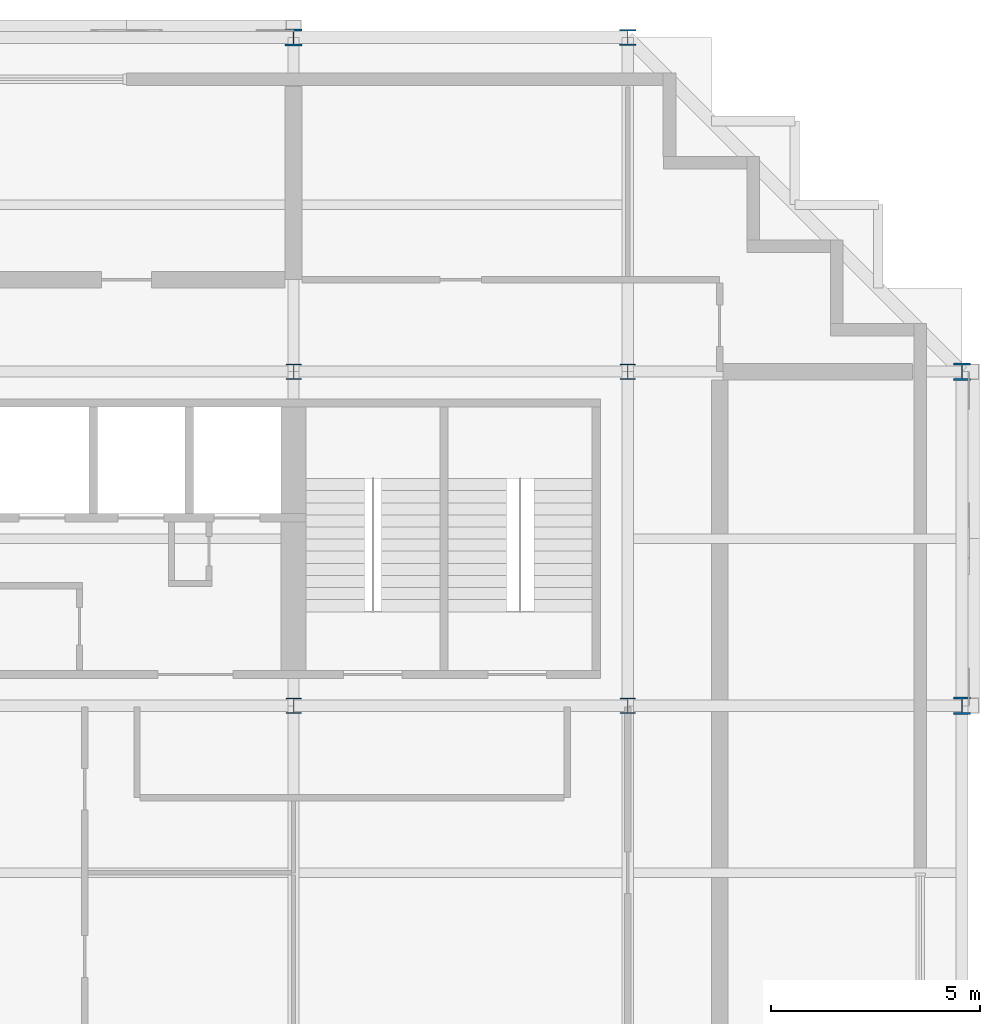
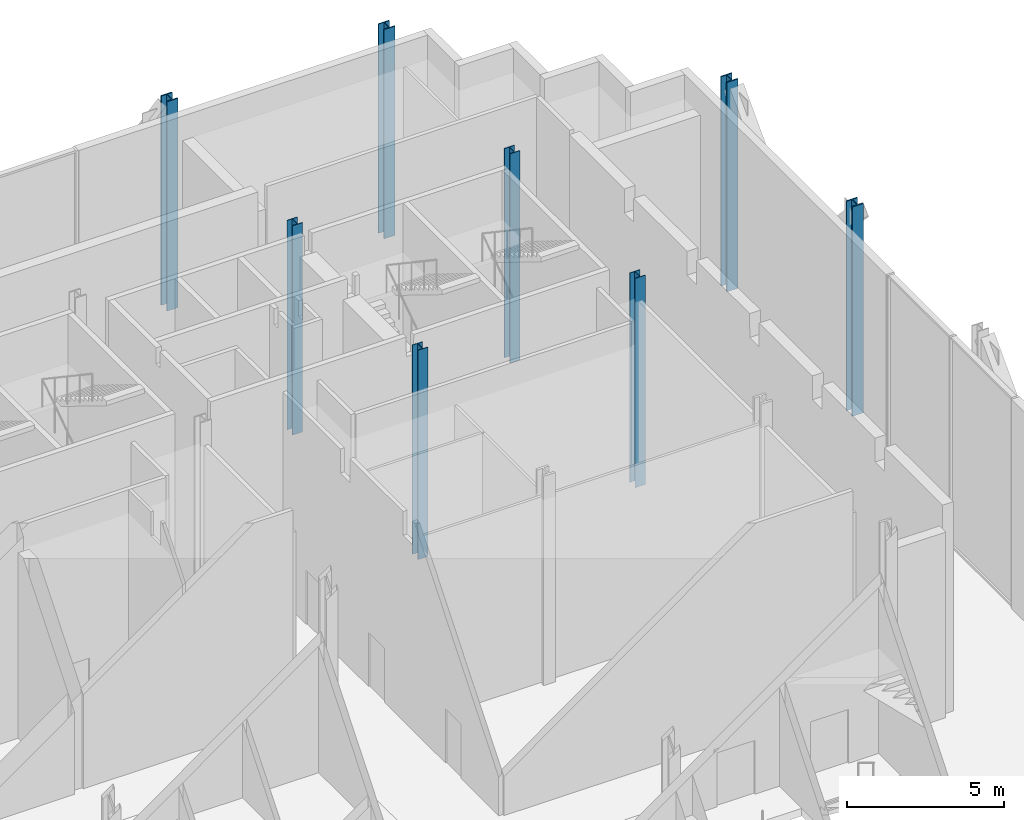
# One storey, part 2 of 13: 8 columns.
"""IFC4 building model written with IfcOpenShell, lengths in metres."""

from ifc_helpers import new_model, si_unit, direction, frame, origin, origin_2d, place, context, subcontext, project, spatial, i_section, extrude, material, material_profile, profile_set, type_object, element, save


model = new_model("IFC4")

# Units and contexts
model_context = context("Model", 3, precision=1e-05, world=origin(), true_north=direction((0.0, 1.0)))
body_context = subcontext(model_context, "Body", "Model", "MODEL_VIEW")
ifc_project = project(units=[si_unit("LENGTHUNIT", "METRE"), si_unit("AREAUNIT", "SQUARE_METRE"), si_unit("VOLUMEUNIT", "CUBIC_METRE"), si_unit("PLANEANGLEUNIT", "RADIAN"), si_unit("MASSUNIT", "GRAM", prefix="KILO")], contexts=[model_context])

# Site, building, storey
site_placement = place(None, origin())
site = spatial("IfcSite", under=ifc_project, at=site_placement, CompositionType="ELEMENT")
building_placement = place(site_placement, origin())
building = spatial("IfcBuilding", under=site, at=building_placement, Name="Immortelle Media Tower", CompositionType="ELEMENT")
storey_placement = place(building_placement, frame((0.0, 0.0, 21.0)))
storey = spatial("IfcBuildingStorey", under=building, at=storey_placement, Name="L02", CompositionType="ELEMENT", Elevation=21.0)

# Columns
ifc_material = material(Name="Steel ASTM A992 Gr 50", Category="steel")
ifc_material_profile_1 = material_profile(ifc_material, i_section(OverallWidth=0.373046875, OverallDepth=0.367919921875, WebThickness=0.014892578125, FlangeThickness=0.02392578125, at=origin_2d()), Name="W14x120")
ifc_profile_set_1 = profile_set([ifc_material_profile_1], Name="Steel ASTM A992 Gr 50")
column_type_1 = type_object("IfcColumnType", Name="W14x120 column", PredefinedType="COLUMN", material=ifc_profile_set_1)
for number, where, z_axis, x_axis, name in (
    (1, (32.0, 32.0, 0.0), (0.0, 0.0, 1.0), (1.0, 0.0, 0.0), "Column 5/E"),
    (2, (32.0, 40.0, 0.0), (0.0, 0.0, 1.0), (1.0, 0.0, 0.0), "Column 5/F"),
    (3, (40.0, 32.0, 0.0), (0.0, 0.0, 1.0), (1.0, 0.0, 0.0), "Column 6/E"),
    (4, (40.0, 40.0, 0.0), (0.0, 0.0, 1.0), (1.0, 0.0, 0.0), "Column 6/F"),
):
    element("IfcColumn", number, at=place(storey_placement, frame(where, z_axis=z_axis, x_axis=x_axis)), inside=storey, type_object=column_type_1, Name=name, PredefinedType="COLUMN", context=body_context, shape_type="SweptSolid", body=[
        extrude(i_section(OverallWidth=0.373046875, OverallDepth=0.367919921875, WebThickness=0.014892578125, FlangeThickness=0.02392578125, at=origin_2d()), origin(), (0.0, 0.0, 1.0), 8.14990234375),
    ])
ifc_material_profile_2 = material_profile(ifc_material, i_section(OverallWidth=0.39892578125, OverallDepth=0.385986328125, WebThickness=0.02099609375, FlangeThickness=0.032958984375, at=origin_2d()), Name="W14x176")
ifc_profile_set_2 = profile_set([ifc_material_profile_2], Name="Steel ASTM A992 Gr 50")
column_type_2 = type_object("IfcColumnType", Name="W14x176 column", PredefinedType="COLUMN", material=ifc_profile_set_2)
column_placement = place(storey_placement, frame((40.0, 48.0, 0.0), z_axis=(0.0, 0.0, 1.0), x_axis=(1.0, 0.0, 0.0)))
element("IfcColumn", 5, at=column_placement, inside=storey, type_object=column_type_2, Name="Column 6/G", PredefinedType="COLUMN", context=body_context, shape_type="SweptSolid", body=[
    extrude(i_section(OverallWidth=0.39892578125, OverallDepth=0.385986328125, WebThickness=0.02099609375, FlangeThickness=0.032958984375, at=origin_2d()), origin(), (0.0, 0.0, 1.0), 8.14990234375),
])
ifc_material_profile_3 = material_profile(ifc_material, i_section(OverallWidth=0.406005859375, OverallDepth=0.4169921875, WebThickness=0.030029296875, FlangeThickness=0.048095703125, at=origin_2d()), Name="W14x257")
ifc_profile_set_3 = profile_set([ifc_material_profile_3], Name="Steel ASTM A992 Gr 50")
column_type_3 = type_object("IfcColumnType", Name="W14x257 column", PredefinedType="COLUMN", material=ifc_profile_set_3)
for number, where, z_axis, x_axis, name in (
    (6, (32.0, 48.0, 0.0), (0.0, 0.0, 1.0), (1.0, 0.0, 0.0), "Column 5/G"),
    (7, (48.0, 32.0, 0.0), (0.0, 0.0, 1.0), (1.0, 0.0, 0.0), "Column 7/E"),
    (8, (48.0, 40.0, 0.0), (0.0, 0.0, 1.0), (1.0, 0.0, 0.0), "Column 7/F"),
):
    element("IfcColumn", number, at=place(storey_placement, frame(where, z_axis=z_axis, x_axis=x_axis)), inside=storey, type_object=column_type_3, Name=name, PredefinedType="COLUMN", context=body_context, shape_type="SweptSolid", body=[
        extrude(i_section(OverallWidth=0.406005859375, OverallDepth=0.4169921875, WebThickness=0.030029296875, FlangeThickness=0.048095703125, at=origin_2d()), origin(), (0.0, 0.0, 1.0), 8.14990234375),
    ])

save(model, "model.ifc")
